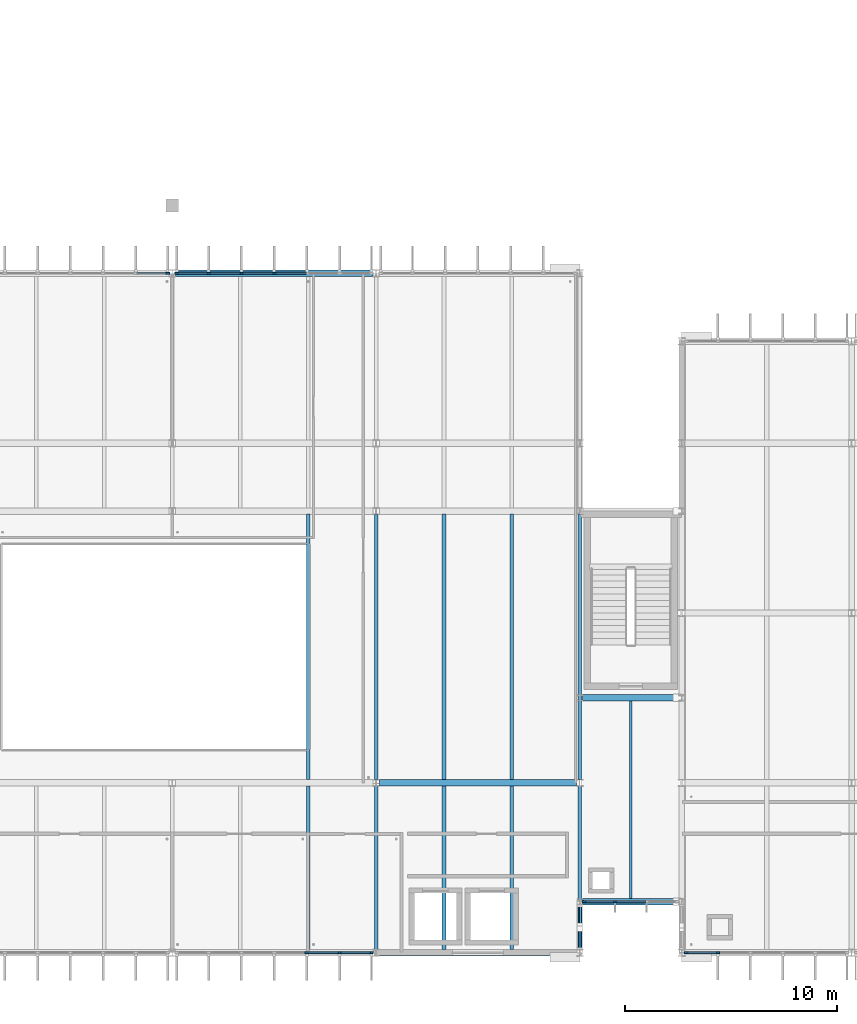
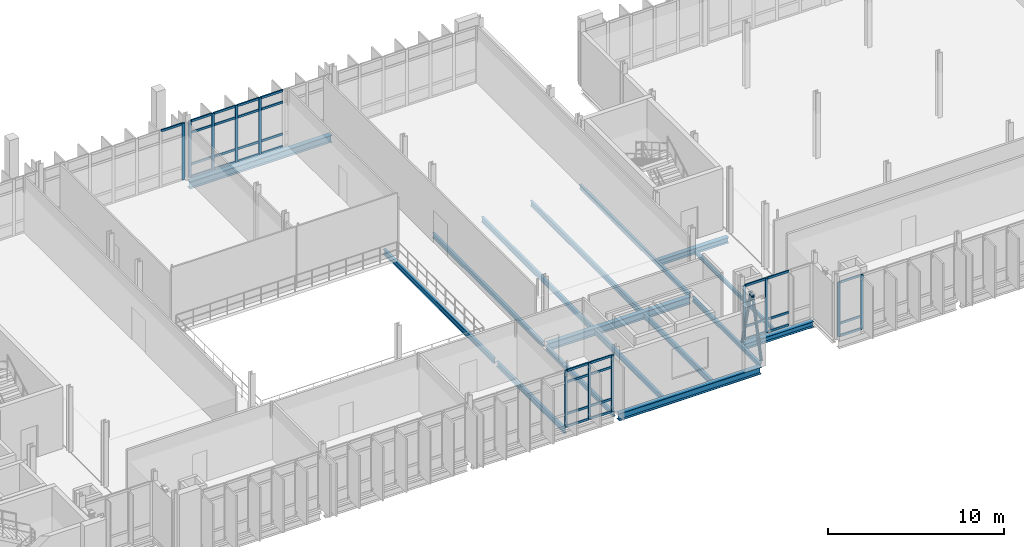
# One storey, part 31 of 110: 48 members, 16 beams, 5 elements without a shape of their own.
"""IFC4 building model written with IfcOpenShell, lengths in metres."""

from ifc_helpers import new_model, si_unit, direction, frame, origin, origin_2d, place, context, subcontext, project, spatial, rectangle, hollow_circle, i_section, extrude, material, material_profile, profile_set, type_object, element, aggregate, save


model = new_model("IFC4")

# Units and contexts
model_context = context("Model", 3, precision=1e-05, world=origin(), true_north=direction((0.0, 1.0)))
body_context = subcontext(model_context, "Body", "Model", "MODEL_VIEW")
ifc_project = project(units=[si_unit("LENGTHUNIT", "METRE"), si_unit("AREAUNIT", "SQUARE_METRE"), si_unit("VOLUMEUNIT", "CUBIC_METRE"), si_unit("PLANEANGLEUNIT", "RADIAN"), si_unit("MASSUNIT", "GRAM", prefix="KILO")], contexts=[model_context])

# Site, building, storey
site_placement = place(None, origin())
site = spatial("IfcSite", under=ifc_project, at=site_placement, CompositionType="ELEMENT")
building_placement = place(site_placement, origin())
building = spatial("IfcBuilding", under=site, at=building_placement, Name="Dunescarp Central Library", CompositionType="ELEMENT")
storey_placement = place(building_placement, frame((0.0, 0.0, 9.60009765625)))
storey = spatial("IfcBuildingStorey", under=building, at=storey_placement, Name="L02", CompositionType="ELEMENT", Elevation=9.60009765625)

# Curtain wall, members
ifc_material_1 = material(Name="Marine-grade anodised aluminium 6063-T6", Category="aluminium")
curtain_wall_type_1 = type_object("IfcCurtainWallType", Name="ARC-CW-STICK", PredefinedType="NOTDEFINED", material=ifc_material_1)
curtain_wall_1_placement = place(storey_placement, origin())
curtain_wall_1 = element("IfcCurtainWall", 1, at=curtain_wall_1_placement, inside=storey, type_object=curtain_wall_type_1, Name="L02 curtain wall CW-V2-056", PredefinedType="NOTDEFINED")
ifc_material_profile_1 = material_profile(ifc_material_1, rectangle(XDim=0.080078125, YDim=0.179931640625, at=origin_2d()), Name="AL 80x180")
ifc_profile_set_1 = profile_set([ifc_material_profile_1], Name="Marine-grade anodised aluminium 6063-T6")
member_type_1 = type_object("IfcMemberType", Name="ARC-CWM-180", PredefinedType="MULLION", material=ifc_profile_set_1)
member_1_placement = place(storey_placement, frame((66.985107421875, 4.800048828125, 0.0), z_axis=(0.0, 0.0, 1.0), x_axis=(0.0, -1.0, 0.0)))
member_1 = element("IfcMember", 2, at=member_1_placement, type_object=member_type_1, Name="CW-V2-056 mullion 1", PredefinedType="MULLION", context=body_context, shape_type="SweptSolid", body=[
    extrude(rectangle(XDim=0.080078125, YDim=0.179931640625, at=origin_2d()), origin(), (0.0, 0.0, 1.0), 3.9248046875),
])
member_2_placement = place(storey_placement, frame((65.4833984375, 4.800048828125, 0.0), z_axis=(0.0, 0.0, 1.0), x_axis=(0.0, -1.0, 0.0)))
member_2 = element("IfcMember", 3, at=member_2_placement, type_object=member_type_1, Name="CW-V2-056 mullion 2", PredefinedType="MULLION", context=body_context, shape_type="SweptSolid", body=[
    extrude(rectangle(XDim=0.080078125, YDim=0.179931640625, at=origin_2d()), origin(), (0.0, 0.0, 1.0), 3.9248046875),
])
member_3_placement = place(storey_placement, frame((63.941650390625, 4.800048828125, 0.0), z_axis=(0.0, 0.0, 1.0), x_axis=(0.0, -1.0, 0.0)))
member_3 = element("IfcMember", 4, at=member_3_placement, type_object=member_type_1, Name="CW-V2-056 mullion 3", PredefinedType="MULLION", context=body_context, shape_type="SweptSolid", body=[
    extrude(rectangle(XDim=0.080078125, YDim=0.179931640625, at=origin_2d()), origin(), (0.0, 0.0, 1.0), 3.9248046875),
])

# Curtain wall, member
curtain_wall_2_placement = place(storey_placement, origin())
curtain_wall_2 = element("IfcCurtainWall", 5, at=curtain_wall_2_placement, inside=storey, type_object=curtain_wall_type_1, Name="L02 curtain wall CW-V2-058", PredefinedType="NOTDEFINED")
member_4_placement = place(storey_placement, frame((57.385009765625, 36.800048828125, 0.0), z_axis=(0.0, 0.0, 1.0), x_axis=(0.0, 1.0, 0.0)))
member_4 = element("IfcMember", 6, at=member_4_placement, type_object=member_type_1, Name="CW-V2-058 mullion 7", PredefinedType="MULLION", context=body_context, shape_type="SweptSolid", body=[
    extrude(rectangle(XDim=0.080078125, YDim=0.179931640625, at=origin_2d()), origin(), (0.0, 0.0, 1.0), 3.9248046875),
])

# Curtain wall, members
curtain_wall_3_placement = place(storey_placement, origin())
curtain_wall_3 = element("IfcCurtainWall", 7, at=curtain_wall_3_placement, inside=storey, type_object=curtain_wall_type_1, Name="L02 curtain wall CW-V2-059", PredefinedType="NOTDEFINED")
member_5_placement = place(storey_placement, frame((57.81494140625, 36.800048828125, 0.0), z_axis=(0.0, 0.0, 1.0), x_axis=(0.0, 1.0, 0.0)))
member_5 = element("IfcMember", 8, at=member_5_placement, type_object=member_type_1, Name="CW-V2-059 mullion 1", PredefinedType="MULLION", context=body_context, shape_type="SweptSolid", body=[
    extrude(rectangle(XDim=0.080078125, YDim=0.179931640625, at=origin_2d()), origin(), (0.0, 0.0, 1.0), 3.9248046875),
])
member_6_placement = place(storey_placement, frame((59.316650390625, 36.800048828125, 0.0), z_axis=(0.0, 0.0, 1.0), x_axis=(0.0, 1.0, 0.0)))
member_6 = element("IfcMember", 9, at=member_6_placement, type_object=member_type_1, Name="CW-V2-059 mullion 2", PredefinedType="MULLION", context=body_context, shape_type="SweptSolid", body=[
    extrude(rectangle(XDim=0.080078125, YDim=0.179931640625, at=origin_2d()), origin(), (0.0, 0.0, 1.0), 3.9248046875),
])
member_7_placement = place(storey_placement, frame((60.8583984375, 36.800048828125, 0.0), z_axis=(0.0, 0.0, 1.0), x_axis=(0.0, 1.0, 0.0)))
member_7 = element("IfcMember", 10, at=member_7_placement, type_object=member_type_1, Name="CW-V2-059 mullion 3", PredefinedType="MULLION", context=body_context, shape_type="SweptSolid", body=[
    extrude(rectangle(XDim=0.080078125, YDim=0.179931640625, at=origin_2d()), origin(), (0.0, 0.0, 1.0), 3.9248046875),
])
member_8_placement = place(storey_placement, frame((62.39990234375, 36.800048828125, 0.0), z_axis=(0.0, 0.0, 1.0), x_axis=(0.0, 1.0, 0.0)))
member_8 = element("IfcMember", 11, at=member_8_placement, type_object=member_type_1, Name="CW-V2-059 mullion 4", PredefinedType="MULLION", context=body_context, shape_type="SweptSolid", body=[
    extrude(rectangle(XDim=0.080078125, YDim=0.179931640625, at=origin_2d()), origin(), (0.0, 0.0, 1.0), 3.9248046875),
])

curtain_wall_4_placement = place(storey_placement, origin())
curtain_wall_4 = element("IfcCurtainWall", 12, at=curtain_wall_4_placement, inside=storey, type_object=curtain_wall_type_1, Name="L02 curtain wall CW-V3-090", PredefinedType="NOTDEFINED")
member_9_placement = place(storey_placement, frame((83.304931640625, 4.800048828125, 0.0), z_axis=(0.0, 0.0, 1.0), x_axis=(0.0, -1.0, 0.0)))
member_9 = element("IfcMember", 13, at=member_9_placement, type_object=member_type_1, Name="CW-V3-090 mullion 5", PredefinedType="MULLION", context=body_context, shape_type="SweptSolid", body=[
    extrude(rectangle(XDim=0.080078125, YDim=0.179931640625, at=origin_2d()), origin(), (0.0, 0.0, 1.0), 3.77490234375),
])
member_10_placement = place(storey_placement, frame((81.81494140625, 4.800048828125, 0.0), z_axis=(0.0, 0.0, 1.0), x_axis=(0.0, -1.0, 0.0)))
member_10 = element("IfcMember", 14, at=member_10_placement, type_object=member_type_1, Name="CW-V3-090 mullion 6", PredefinedType="MULLION", context=body_context, shape_type="SweptSolid", body=[
    extrude(rectangle(XDim=0.080078125, YDim=0.179931640625, at=origin_2d()), origin(), (0.0, 0.0, 1.0), 3.77490234375),
])

curtain_wall_type_2 = type_object("IfcCurtainWallType", Name="ARC-CW-LINK", PredefinedType="USERDEFINED", material=ifc_material_1)
curtain_wall_5_placement = place(storey_placement, origin())
curtain_wall_5 = element("IfcCurtainWall", 15, at=curtain_wall_5_placement, inside=storey, type_object=curtain_wall_type_2, Name="L02 curtain wall CW-GL2-S-L02", ObjectType="GLAZED_LINK_WALL", PredefinedType="USERDEFINED")
member_11_placement = place(storey_placement, frame((78.458251953125, 7.199951171875, 0.0), z_axis=(0.0, 0.0, 1.0), x_axis=(0.0, -1.0, 0.0)))
member_11 = element("IfcMember", 16, at=member_11_placement, type_object=member_type_1, Name="CW-GL2-S-L02 mullion 3", PredefinedType="MULLION", context=body_context, shape_type="SweptSolid", body=[
    extrude(rectangle(XDim=0.080078125, YDim=0.179931640625, at=origin_2d()), origin(), (0.0, 0.0, 1.0), 3.77490234375),
])
member_12_placement = place(storey_placement, frame((77.014892578125, 7.199951171875, 0.0), z_axis=(0.0, 0.0, 1.0), x_axis=(0.0, -1.0, 0.0)))
member_12 = element("IfcMember", 17, at=member_12_placement, type_object=member_type_1, Name="CW-GL2-S-L02 mullion 4", PredefinedType="MULLION", context=body_context, shape_type="SweptSolid", body=[
    extrude(rectangle(XDim=0.080078125, YDim=0.179931640625, at=origin_2d()), origin(), (0.0, 0.0, 1.0), 3.77490234375),
])

# Member
ifc_material_profile_2 = material_profile(ifc_material_1, rectangle(XDim=0.080078125, YDim=0.14990234375, at=origin_2d()), Name="AL 80x150")
ifc_profile_set_2 = profile_set([ifc_material_profile_2], Name="Marine-grade anodised aluminium 6063-T6")
member_type_2 = type_object("IfcMemberType", Name="ARC-CWT-150", PredefinedType="USERDEFINED", material=ifc_profile_set_2)
member_13_placement = place(storey_placement, frame((66.945068359375, 4.800048828125, 0.039794921875), z_axis=(-1.0, 0.0, 0.0), x_axis=(0.0, -1.0, 0.0)))
member_13 = element("IfcMember", 18, at=member_13_placement, type_object=member_type_2, Name="CW-V2-056 transom 1.1", ObjectType="TRANSOM", PredefinedType="USERDEFINED", context=body_context, shape_type="SweptSolid", body=[
    extrude(rectangle(XDim=0.080078125, YDim=0.14990234375, at=origin_2d()), origin(), (0.0, 0.0, 1.0), 1.421630859375),
])

member_14_placement = place(storey_placement, frame((66.945068359375, 4.800048828125, 0.89990234375), z_axis=(-1.0, 0.0, 0.0), x_axis=(0.0, -1.0, 0.0)))
member_14 = element("IfcMember", 19, at=member_14_placement, type_object=member_type_2, Name="CW-V2-056 transom 1.2", ObjectType="TRANSOM", PredefinedType="USERDEFINED", context=body_context, shape_type="SweptSolid", body=[
    extrude(rectangle(XDim=0.080078125, YDim=0.14990234375, at=origin_2d()), origin(), (0.0, 0.0, 1.0), 1.421630859375),
])

member_15_placement = place(storey_placement, frame((66.945068359375, 4.800048828125, 3.099853515625), z_axis=(-1.0, 0.0, 0.0), x_axis=(0.0, -1.0, 0.0)))
member_15 = element("IfcMember", 20, at=member_15_placement, type_object=member_type_2, Name="CW-V2-056 transom 1.3", ObjectType="TRANSOM", PredefinedType="USERDEFINED", context=body_context, shape_type="SweptSolid", body=[
    extrude(rectangle(XDim=0.080078125, YDim=0.14990234375, at=origin_2d()), origin(), (0.0, 0.0, 1.0), 1.421630859375),
])

member_16_placement = place(storey_placement, frame((66.945068359375, 4.800048828125, 3.885009765625), z_axis=(-1.0, 0.0, 0.0), x_axis=(0.0, -1.0, 0.0)))
member_16 = element("IfcMember", 21, at=member_16_placement, type_object=member_type_2, Name="CW-V2-056 transom 1.4", ObjectType="TRANSOM", PredefinedType="USERDEFINED", context=body_context, shape_type="SweptSolid", body=[
    extrude(rectangle(XDim=0.080078125, YDim=0.14990234375, at=origin_2d()), origin(), (0.0, 0.0, 1.0), 1.421630859375),
])

member_17_placement = place(storey_placement, frame((65.443359375, 4.800048828125, 0.039794921875), z_axis=(-1.0, 0.0, 0.0), x_axis=(0.0, -1.0, 0.0)))
member_17 = element("IfcMember", 22, at=member_17_placement, type_object=member_type_2, Name="CW-V2-056 transom 2.1", ObjectType="TRANSOM", PredefinedType="USERDEFINED", context=body_context, shape_type="SweptSolid", body=[
    extrude(rectangle(XDim=0.080078125, YDim=0.14990234375, at=origin_2d()), origin(), (0.0, 0.0, 1.0), 1.461669921875),
])

member_18_placement = place(storey_placement, frame((65.443359375, 4.800048828125, 0.89990234375), z_axis=(-1.0, 0.0, 0.0), x_axis=(0.0, -1.0, 0.0)))
member_18 = element("IfcMember", 23, at=member_18_placement, type_object=member_type_2, Name="CW-V2-056 transom 2.2", ObjectType="TRANSOM", PredefinedType="USERDEFINED", context=body_context, shape_type="SweptSolid", body=[
    extrude(rectangle(XDim=0.080078125, YDim=0.14990234375, at=origin_2d()), origin(), (0.0, 0.0, 1.0), 1.461669921875),
])

member_19_placement = place(storey_placement, frame((65.443359375, 4.800048828125, 3.099853515625), z_axis=(-1.0, 0.0, 0.0), x_axis=(0.0, -1.0, 0.0)))
member_19 = element("IfcMember", 24, at=member_19_placement, type_object=member_type_2, Name="CW-V2-056 transom 2.3", ObjectType="TRANSOM", PredefinedType="USERDEFINED", context=body_context, shape_type="SweptSolid", body=[
    extrude(rectangle(XDim=0.080078125, YDim=0.14990234375, at=origin_2d()), origin(), (0.0, 0.0, 1.0), 1.461669921875),
])

member_20_placement = place(storey_placement, frame((65.443359375, 4.800048828125, 3.885009765625), z_axis=(-1.0, 0.0, 0.0), x_axis=(0.0, -1.0, 0.0)))
member_20 = element("IfcMember", 25, at=member_20_placement, type_object=member_type_2, Name="CW-V2-056 transom 2.4", ObjectType="TRANSOM", PredefinedType="USERDEFINED", context=body_context, shape_type="SweptSolid", body=[
    extrude(rectangle(XDim=0.080078125, YDim=0.14990234375, at=origin_2d()), origin(), (0.0, 0.0, 1.0), 1.461669921875),
])

aggregate(curtain_wall_1, [member_1, member_2, member_3, member_13, member_14, member_15, member_16, member_17, member_18, member_19, member_20])

member_21_placement = place(storey_placement, frame((55.92333984375, 36.800048828125, 3.885009765625), z_axis=(1.0, 0.0, 0.0), x_axis=(0.0, 1.0, 0.0)))
member_21 = element("IfcMember", 26, at=member_21_placement, type_object=member_type_2, Name="CW-V2-058 transom 6.4", ObjectType="TRANSOM", PredefinedType="USERDEFINED", context=body_context, shape_type="SweptSolid", body=[
    extrude(rectangle(XDim=0.080078125, YDim=0.14990234375, at=origin_2d()), origin(), (0.0, 0.0, 1.0), 1.421630859375),
])

aggregate(curtain_wall_2, [member_4, member_21])

member_22_placement = place(storey_placement, frame((57.85498046875, 36.800048828125, 0.039794921875), z_axis=(1.0, 0.0, 0.0), x_axis=(0.0, 1.0, 0.0)))
member_22 = element("IfcMember", 27, at=member_22_placement, type_object=member_type_2, Name="CW-V2-059 transom 1.1", ObjectType="TRANSOM", PredefinedType="USERDEFINED", context=body_context, shape_type="SweptSolid", body=[
    extrude(rectangle(XDim=0.080078125, YDim=0.14990234375, at=origin_2d()), origin(), (0.0, 0.0, 1.0), 1.421630859375),
])

member_23_placement = place(storey_placement, frame((57.85498046875, 36.800048828125, 0.89990234375), z_axis=(1.0, 0.0, 0.0), x_axis=(0.0, 1.0, 0.0)))
member_23 = element("IfcMember", 28, at=member_23_placement, type_object=member_type_2, Name="CW-V2-059 transom 1.2", ObjectType="TRANSOM", PredefinedType="USERDEFINED", context=body_context, shape_type="SweptSolid", body=[
    extrude(rectangle(XDim=0.080078125, YDim=0.14990234375, at=origin_2d()), origin(), (0.0, 0.0, 1.0), 1.421630859375),
])

member_24_placement = place(storey_placement, frame((57.85498046875, 36.800048828125, 3.099853515625), z_axis=(1.0, 0.0, 0.0), x_axis=(0.0, 1.0, 0.0)))
member_24 = element("IfcMember", 29, at=member_24_placement, type_object=member_type_2, Name="CW-V2-059 transom 1.3", ObjectType="TRANSOM", PredefinedType="USERDEFINED", context=body_context, shape_type="SweptSolid", body=[
    extrude(rectangle(XDim=0.080078125, YDim=0.14990234375, at=origin_2d()), origin(), (0.0, 0.0, 1.0), 1.421630859375),
])

member_25_placement = place(storey_placement, frame((57.85498046875, 36.800048828125, 3.885009765625), z_axis=(1.0, 0.0, 0.0), x_axis=(0.0, 1.0, 0.0)))
member_25 = element("IfcMember", 30, at=member_25_placement, type_object=member_type_2, Name="CW-V2-059 transom 1.4", ObjectType="TRANSOM", PredefinedType="USERDEFINED", context=body_context, shape_type="SweptSolid", body=[
    extrude(rectangle(XDim=0.080078125, YDim=0.14990234375, at=origin_2d()), origin(), (0.0, 0.0, 1.0), 1.421630859375),
])

member_26_placement = place(storey_placement, frame((59.356689453125, 36.800048828125, 0.039794921875), z_axis=(1.0, 0.0, 0.0), x_axis=(0.0, 1.0, 0.0)))
member_26 = element("IfcMember", 31, at=member_26_placement, type_object=member_type_2, Name="CW-V2-059 transom 2.1", ObjectType="TRANSOM", PredefinedType="USERDEFINED", context=body_context, shape_type="SweptSolid", body=[
    extrude(rectangle(XDim=0.080078125, YDim=0.14990234375, at=origin_2d()), origin(), (0.0, 0.0, 1.0), 1.461669921875),
])

member_27_placement = place(storey_placement, frame((59.356689453125, 36.800048828125, 0.89990234375), z_axis=(1.0, 0.0, 0.0), x_axis=(0.0, 1.0, 0.0)))
member_27 = element("IfcMember", 32, at=member_27_placement, type_object=member_type_2, Name="CW-V2-059 transom 2.2", ObjectType="TRANSOM", PredefinedType="USERDEFINED", context=body_context, shape_type="SweptSolid", body=[
    extrude(rectangle(XDim=0.080078125, YDim=0.14990234375, at=origin_2d()), origin(), (0.0, 0.0, 1.0), 1.461669921875),
])

member_28_placement = place(storey_placement, frame((59.356689453125, 36.800048828125, 3.099853515625), z_axis=(1.0, 0.0, 0.0), x_axis=(0.0, 1.0, 0.0)))
member_28 = element("IfcMember", 33, at=member_28_placement, type_object=member_type_2, Name="CW-V2-059 transom 2.3", ObjectType="TRANSOM", PredefinedType="USERDEFINED", context=body_context, shape_type="SweptSolid", body=[
    extrude(rectangle(XDim=0.080078125, YDim=0.14990234375, at=origin_2d()), origin(), (0.0, 0.0, 1.0), 1.461669921875),
])

member_29_placement = place(storey_placement, frame((59.356689453125, 36.800048828125, 3.885009765625), z_axis=(1.0, 0.0, 0.0), x_axis=(0.0, 1.0, 0.0)))
member_29 = element("IfcMember", 34, at=member_29_placement, type_object=member_type_2, Name="CW-V2-059 transom 2.4", ObjectType="TRANSOM", PredefinedType="USERDEFINED", context=body_context, shape_type="SweptSolid", body=[
    extrude(rectangle(XDim=0.080078125, YDim=0.14990234375, at=origin_2d()), origin(), (0.0, 0.0, 1.0), 1.461669921875),
])

member_30_placement = place(storey_placement, frame((60.8984375, 36.800048828125, 0.039794921875), z_axis=(1.0, 0.0, 0.0), x_axis=(0.0, 1.0, 0.0)))
member_30 = element("IfcMember", 35, at=member_30_placement, type_object=member_type_2, Name="CW-V2-059 transom 3.1", ObjectType="TRANSOM", PredefinedType="USERDEFINED", context=body_context, shape_type="SweptSolid", body=[
    extrude(rectangle(XDim=0.080078125, YDim=0.14990234375, at=origin_2d()), origin(), (0.0, 0.0, 1.0), 1.461669921875),
])

member_31_placement = place(storey_placement, frame((60.8984375, 36.800048828125, 0.89990234375), z_axis=(1.0, 0.0, 0.0), x_axis=(0.0, 1.0, 0.0)))
member_31 = element("IfcMember", 36, at=member_31_placement, type_object=member_type_2, Name="CW-V2-059 transom 3.2", ObjectType="TRANSOM", PredefinedType="USERDEFINED", context=body_context, shape_type="SweptSolid", body=[
    extrude(rectangle(XDim=0.080078125, YDim=0.14990234375, at=origin_2d()), origin(), (0.0, 0.0, 1.0), 1.461669921875),
])

member_32_placement = place(storey_placement, frame((60.8984375, 36.800048828125, 3.099853515625), z_axis=(1.0, 0.0, 0.0), x_axis=(0.0, 1.0, 0.0)))
member_32 = element("IfcMember", 37, at=member_32_placement, type_object=member_type_2, Name="CW-V2-059 transom 3.3", ObjectType="TRANSOM", PredefinedType="USERDEFINED", context=body_context, shape_type="SweptSolid", body=[
    extrude(rectangle(XDim=0.080078125, YDim=0.14990234375, at=origin_2d()), origin(), (0.0, 0.0, 1.0), 1.461669921875),
])

member_33_placement = place(storey_placement, frame((60.8984375, 36.800048828125, 3.885009765625), z_axis=(1.0, 0.0, 0.0), x_axis=(0.0, 1.0, 0.0)))
member_33 = element("IfcMember", 38, at=member_33_placement, type_object=member_type_2, Name="CW-V2-059 transom 3.4", ObjectType="TRANSOM", PredefinedType="USERDEFINED", context=body_context, shape_type="SweptSolid", body=[
    extrude(rectangle(XDim=0.080078125, YDim=0.14990234375, at=origin_2d()), origin(), (0.0, 0.0, 1.0), 1.461669921875),
])

member_34_placement = place(storey_placement, frame((62.43994140625, 36.800048828125, 0.039794921875), z_axis=(1.0, 0.0, 0.0), x_axis=(0.0, 1.0, 0.0)))
member_34 = element("IfcMember", 39, at=member_34_placement, type_object=member_type_2, Name="CW-V2-059 transom 4.1", ObjectType="TRANSOM", PredefinedType="USERDEFINED", context=body_context, shape_type="SweptSolid", body=[
    extrude(rectangle(XDim=0.080078125, YDim=0.14990234375, at=origin_2d()), origin(), (0.0, 0.0, 1.0), 1.461669921875),
])

member_35_placement = place(storey_placement, frame((62.43994140625, 36.800048828125, 0.89990234375), z_axis=(1.0, 0.0, 0.0), x_axis=(0.0, 1.0, 0.0)))
member_35 = element("IfcMember", 40, at=member_35_placement, type_object=member_type_2, Name="CW-V2-059 transom 4.2", ObjectType="TRANSOM", PredefinedType="USERDEFINED", context=body_context, shape_type="SweptSolid", body=[
    extrude(rectangle(XDim=0.080078125, YDim=0.14990234375, at=origin_2d()), origin(), (0.0, 0.0, 1.0), 1.461669921875),
])

member_36_placement = place(storey_placement, frame((62.43994140625, 36.800048828125, 3.099853515625), z_axis=(1.0, 0.0, 0.0), x_axis=(0.0, 1.0, 0.0)))
member_36 = element("IfcMember", 41, at=member_36_placement, type_object=member_type_2, Name="CW-V2-059 transom 4.3", ObjectType="TRANSOM", PredefinedType="USERDEFINED", context=body_context, shape_type="SweptSolid", body=[
    extrude(rectangle(XDim=0.080078125, YDim=0.14990234375, at=origin_2d()), origin(), (0.0, 0.0, 1.0), 1.461669921875),
])

member_37_placement = place(storey_placement, frame((62.43994140625, 36.800048828125, 3.885009765625), z_axis=(1.0, 0.0, 0.0), x_axis=(0.0, 1.0, 0.0)))
member_37 = element("IfcMember", 42, at=member_37_placement, type_object=member_type_2, Name="CW-V2-059 transom 4.4", ObjectType="TRANSOM", PredefinedType="USERDEFINED", context=body_context, shape_type="SweptSolid", body=[
    extrude(rectangle(XDim=0.080078125, YDim=0.14990234375, at=origin_2d()), origin(), (0.0, 0.0, 1.0), 1.461669921875),
])

aggregate(curtain_wall_3, [member_5, member_6, member_7, member_8, member_22, member_23, member_24, member_25, member_26, member_27, member_28, member_29, member_30, member_31, member_32, member_33, member_34, member_35, member_36, member_37])

member_38_placement = place(storey_placement, frame((83.264892578125, 4.800048828125, 0.039794921875), z_axis=(-1.0, 0.0, 0.0), x_axis=(0.0, -1.0, 0.0)))
member_38 = element("IfcMember", 43, at=member_38_placement, type_object=member_type_2, Name="CW-V3-090 transom 5.1", ObjectType="TRANSOM", PredefinedType="USERDEFINED", context=body_context, shape_type="SweptSolid", body=[
    extrude(rectangle(XDim=0.080078125, YDim=0.14990234375, at=origin_2d()), origin(), (0.0, 0.0, 1.0), 1.409912109375),
])

member_39_placement = place(storey_placement, frame((83.264892578125, 4.800048828125, 0.89990234375), z_axis=(-1.0, 0.0, 0.0), x_axis=(0.0, -1.0, 0.0)))
member_39 = element("IfcMember", 44, at=member_39_placement, type_object=member_type_2, Name="CW-V3-090 transom 5.2", ObjectType="TRANSOM", PredefinedType="USERDEFINED", context=body_context, shape_type="SweptSolid", body=[
    extrude(rectangle(XDim=0.080078125, YDim=0.14990234375, at=origin_2d()), origin(), (0.0, 0.0, 1.0), 1.409912109375),
])

member_40_placement = place(storey_placement, frame((83.264892578125, 4.800048828125, 3.73486328125), z_axis=(-1.0, 0.0, 0.0), x_axis=(0.0, -1.0, 0.0)))
member_40 = element("IfcMember", 45, at=member_40_placement, type_object=member_type_2, Name="CW-V3-090 transom 5.3", ObjectType="TRANSOM", PredefinedType="USERDEFINED", context=body_context, shape_type="SweptSolid", body=[
    extrude(rectangle(XDim=0.080078125, YDim=0.14990234375, at=origin_2d()), origin(), (0.0, 0.0, 1.0), 1.409912109375),
])

aggregate(curtain_wall_4, [member_9, member_10, member_38, member_39, member_40])

member_41_placement = place(storey_placement, frame((79.901611328125, 7.199951171875, 0.039794921875), z_axis=(-1.0, 0.0, 0.0), x_axis=(0.0, -1.0, 0.0)))
member_41 = element("IfcMember", 46, at=member_41_placement, type_object=member_type_2, Name="CW-GL2-S-L02 transom 2.1", ObjectType="TRANSOM", PredefinedType="USERDEFINED", context=body_context, shape_type="SweptSolid", body=[
    extrude(rectangle(XDim=0.080078125, YDim=0.14990234375, at=origin_2d()), origin(), (0.0, 0.0, 1.0), 1.4033203125),
])

member_42_placement = place(storey_placement, frame((79.901611328125, 7.199951171875, 0.89990234375), z_axis=(-1.0, 0.0, 0.0), x_axis=(0.0, -1.0, 0.0)))
member_42 = element("IfcMember", 47, at=member_42_placement, type_object=member_type_2, Name="CW-GL2-S-L02 transom 2.2", ObjectType="TRANSOM", PredefinedType="USERDEFINED", context=body_context, shape_type="SweptSolid", body=[
    extrude(rectangle(XDim=0.080078125, YDim=0.14990234375, at=origin_2d()), origin(), (0.0, 0.0, 1.0), 1.4033203125),
])

member_43_placement = place(storey_placement, frame((79.901611328125, 7.199951171875, 3.73486328125), z_axis=(-1.0, 0.0, 0.0), x_axis=(0.0, -1.0, 0.0)))
member_43 = element("IfcMember", 48, at=member_43_placement, type_object=member_type_2, Name="CW-GL2-S-L02 transom 2.3", ObjectType="TRANSOM", PredefinedType="USERDEFINED", context=body_context, shape_type="SweptSolid", body=[
    extrude(rectangle(XDim=0.080078125, YDim=0.14990234375, at=origin_2d()), origin(), (0.0, 0.0, 1.0), 1.4033203125),
])

member_44_placement = place(storey_placement, frame((78.418212890625, 7.199951171875, 0.039794921875), z_axis=(-1.0, 0.0, 0.0), x_axis=(0.0, -1.0, 0.0)))
member_44 = element("IfcMember", 49, at=member_44_placement, type_object=member_type_2, Name="CW-GL2-S-L02 transom 3.1", ObjectType="TRANSOM", PredefinedType="USERDEFINED", context=body_context, shape_type="SweptSolid", body=[
    extrude(rectangle(XDim=0.080078125, YDim=0.14990234375, at=origin_2d()), origin(), (0.0, 0.0, 1.0), 1.36328125),
])

member_45_placement = place(storey_placement, frame((78.418212890625, 7.199951171875, 0.89990234375), z_axis=(-1.0, 0.0, 0.0), x_axis=(0.0, -1.0, 0.0)))
member_45 = element("IfcMember", 50, at=member_45_placement, type_object=member_type_2, Name="CW-GL2-S-L02 transom 3.2", ObjectType="TRANSOM", PredefinedType="USERDEFINED", context=body_context, shape_type="SweptSolid", body=[
    extrude(rectangle(XDim=0.080078125, YDim=0.14990234375, at=origin_2d()), origin(), (0.0, 0.0, 1.0), 1.36328125),
])

member_46_placement = place(storey_placement, frame((78.418212890625, 7.199951171875, 3.73486328125), z_axis=(-1.0, 0.0, 0.0), x_axis=(0.0, -1.0, 0.0)))
member_46 = element("IfcMember", 51, at=member_46_placement, type_object=member_type_2, Name="CW-GL2-S-L02 transom 3.3", ObjectType="TRANSOM", PredefinedType="USERDEFINED", context=body_context, shape_type="SweptSolid", body=[
    extrude(rectangle(XDim=0.080078125, YDim=0.14990234375, at=origin_2d()), origin(), (0.0, 0.0, 1.0), 1.36328125),
])

aggregate(curtain_wall_5, [member_11, member_12, member_41, member_42, member_43, member_44, member_45, member_46])

# Beams
ifc_material_2 = material(Name="Steel S355JR", Category="steel")
ifc_material_profile_3 = material_profile(ifc_material_2, i_section(OverallWidth=0.300048828125, OverallDepth=0.389892578125, WebThickness=0.010986328125, FlangeThickness=0.01904296875, at=origin_2d()), Name="HEA 400")
ifc_profile_set_3 = profile_set([ifc_material_profile_3], Name="Steel S355JR")
beam_type_1 = type_object("IfcBeamType", Name="STR-BM-HEA400", PredefinedType="BEAM", material=ifc_profile_set_3)
for number, where, z_axis, x_axis, name in (
    (52, (76.926025390625, 7.199951171875, -0.405029296875), (1.0, 0.0, 0.0), (0.0, 1.0, 0.0), "L02 girder BM-L02-1245"),
    (53, (76.926025390625, 16.800048828125, -0.405029296875), (1.0, 0.0, 0.0), (0.0, 1.0, 0.0), "L02 girder BM-L02-1246"),
):
    element("IfcBeam", number, at=place(storey_placement, frame(where, z_axis=z_axis, x_axis=x_axis)), inside=storey, type_object=beam_type_1, Name=name, PredefinedType="BEAM", context=body_context, shape_type="SweptSolid", body=[
        extrude(i_section(OverallWidth=0.300048828125, OverallDepth=0.389892578125, WebThickness=0.010986328125, FlangeThickness=0.01904296875, at=origin_2d()), origin(), (0.0, 0.0, 1.0), 4.548095703125),
    ])
ifc_material_profile_4 = material_profile(ifc_material_2, i_section(OverallWidth=0.300048828125, OverallDepth=0.5, WebThickness=0.014404296875, FlangeThickness=0.028076171875, at=origin_2d()), Name="HEB 500")
ifc_profile_set_4 = profile_set([ifc_material_profile_4], Name="Steel S355JR")
beam_type_2 = type_object("IfcBeamType", Name="STR-BM-HEB500", PredefinedType="BEAM", material=ifc_profile_set_4)
beam_1_placement = place(storey_placement, frame((57.751953125, 36.800048828125, -0.460205078125), z_axis=(1.0, 0.0, 0.0), x_axis=(0.0, 1.0, 0.0)))
element("IfcBeam", 54, at=beam_1_placement, inside=storey, type_object=beam_type_2, Name="L02 girder BM-L02-0450", PredefinedType="BEAM", context=body_context, shape_type="SweptSolid", body=[
    extrude(i_section(OverallWidth=0.300048828125, OverallDepth=0.5, WebThickness=0.014404296875, FlangeThickness=0.028076171875, at=origin_2d()), origin(), (0.0, 0.0, 1.0), 9.296142578125),
])
for number, where, z_axis, x_axis, name in (
    (55, (67.35205078125, 4.800048828125, -0.460205078125), (1.0, 0.0, 0.0), (0.0, 1.0, 0.0), "L02 girder BM-L02-0454"),
    (56, (67.35205078125, 12.800048828125, -0.460205078125), (1.0, 0.0, 0.0), (0.0, 1.0, 0.0), "L02 girder BM-L02-0455"),
):
    element("IfcBeam", number, at=place(storey_placement, frame(where, z_axis=z_axis, x_axis=x_axis)), inside=storey, type_object=beam_type_2, Name=name, PredefinedType="BEAM", context=body_context, shape_type="SweptSolid", body=[
        extrude(i_section(OverallWidth=0.300048828125, OverallDepth=0.5, WebThickness=0.014404296875, FlangeThickness=0.028076171875, at=origin_2d()), origin(), (0.0, 0.0, 1.0), 9.2958984375),
    ])
ifc_material_profile_5 = material_profile(ifc_material_2, i_section(OverallWidth=0.1669921875, OverallDepth=0.310302734375, WebThickness=0.0078125, FlangeThickness=0.013671875, at=origin_2d()), Name="UB 305x165x54")
ifc_profile_set_5 = profile_set([ifc_material_profile_5], Name="Steel S355JR")
beam_type_3 = type_object("IfcBeamType", Name="STR-BM-UB305X54", PredefinedType="BEAM", material=ifc_profile_set_5)
beam_2_placement = place(storey_placement, frame((67.199951171875, 4.95703125, -0.364990234375), z_axis=(0.0, 1.0, 0.0), x_axis=(-1.0, 0.0, 0.0)))
element("IfcBeam", 57, at=beam_2_placement, inside=storey, type_object=beam_type_3, Name="L02 girder BM-L02-0440", PredefinedType="BEAM", context=body_context, shape_type="SweptSolid", body=[
    extrude(i_section(OverallWidth=0.1669921875, OverallDepth=0.310302734375, WebThickness=0.0078125, FlangeThickness=0.013671875, at=origin_2d()), origin(), (0.0, 0.0, 1.0), 7.68603515625),
])
beam_3_placement = place(storey_placement, frame((67.199951171875, 12.95703125, -0.364990234375), z_axis=(0.0, 1.0, 0.0), x_axis=(-1.0, 0.0, 0.0)))
element("IfcBeam", 58, at=beam_3_placement, inside=storey, type_object=beam_type_3, Name="L02 girder BM-L02-0444", PredefinedType="BEAM", context=body_context, shape_type="SweptSolid", body=[
    extrude(i_section(OverallWidth=0.1669921875, OverallDepth=0.310302734375, WebThickness=0.0078125, FlangeThickness=0.013671875, at=origin_2d()), origin(), (0.0, 0.0, 1.0), 12.486083984375),
])
beam_4_placement = place(storey_placement, frame((76.800048828125, 4.95703125, -0.364990234375), z_axis=(0.0, 1.0, 0.0), x_axis=(-1.0, 0.0, 0.0)))
element("IfcBeam", 59, at=beam_4_placement, inside=storey, type_object=beam_type_3, Name="L02 girder BM-L02-0456", PredefinedType="BEAM", context=body_context, shape_type="SweptSolid", body=[
    extrude(i_section(OverallWidth=0.1669921875, OverallDepth=0.310302734375, WebThickness=0.0078125, FlangeThickness=0.013671875, at=origin_2d()), origin(), (0.0, 0.0, 1.0), 7.68603515625),
])
beam_5_placement = place(storey_placement, frame((76.800048828125, 12.95703125, -0.364990234375), z_axis=(0.0, 1.0, 0.0), x_axis=(-1.0, 0.0, 0.0)))
element("IfcBeam", 60, at=beam_5_placement, inside=storey, type_object=beam_type_3, Name="L02 girder BM-L02-0460", PredefinedType="BEAM", context=body_context, shape_type="SweptSolid", body=[
    extrude(i_section(OverallWidth=0.1669921875, OverallDepth=0.310302734375, WebThickness=0.0078125, FlangeThickness=0.013671875, at=origin_2d()), origin(), (0.0, 0.0, 1.0), 12.486083984375),
])

# Members
ifc_material_3 = material(Name="Steel S355J0", Category="steel")
ifc_material_profile_6 = material_profile(ifc_material_3, hollow_circle(Radius=0.096923828125, WallThickness=0.010009765625, at=origin_2d()), Name="CHS 193.7x10")
ifc_profile_set_6 = profile_set([ifc_material_profile_6], Name="Steel S355J0")
member_type_3 = type_object("IfcMemberType", Name="STR-BR-193", PredefinedType="BRACE", material=ifc_profile_set_6)
for number, where, z_axis, x_axis, name in (
    (61, (76.800048828125, 4.919921875, 0.0), (0.0, 0.241398356802, 0.970426109157), (-1.0, 0.0, 0.0), "L02 concentric brace BR-L02-027"),
    (62, (76.800048828125, 7.080078125, 0.0), (0.0, -0.241398356802, 0.970426109157), (1.0, 0.0, 0.0), "L02 concentric brace BR-L02-028"),
):
    element("IfcMember", number, at=place(storey_placement, frame(where, z_axis=z_axis, x_axis=x_axis)), inside=storey, type_object=member_type_3, Name=name, PredefinedType="BRACE", context=body_context, shape_type="SweptSolid", body=[
        extrude(hollow_circle(Radius=0.096923828125, WallThickness=0.010009765625, at=origin_2d()), origin(), (0.0, 0.0, 1.0), 4.142578125),
    ])

# Beams
ifc_material_profile_7 = material_profile(ifc_material_2, i_section(OverallWidth=0.135009765625, OverallDepth=0.27001953125, WebThickness=0.006591796875, FlangeThickness=0.01025390625, at=origin_2d()), Name="IPE 270")
ifc_profile_set_7 = profile_set([ifc_material_profile_7], Name="Steel S355JR")
beam_type_4 = type_object("IfcBeamType", Name="STR-JS-IPE270", PredefinedType="JOIST", material=ifc_profile_set_7)
beam_6_placement = place(storey_placement, frame((79.199951171875, 7.347900390625, -0.34521484375), z_axis=(0.0, 1.0, 0.0), x_axis=(-1.0, 0.0, 0.0)))
element("IfcBeam", 63, at=beam_6_placement, inside=storey, type_object=beam_type_4, Name="L02 joist JS-L02-1247", PredefinedType="JOIST", context=body_context, shape_type="SweptSolid", body=[
    extrude(i_section(OverallWidth=0.135009765625, OverallDepth=0.27001953125, WebThickness=0.006591796875, FlangeThickness=0.01025390625, at=origin_2d()), origin(), (0.0, 0.0, 1.0), 9.30419921875),
])
ifc_material_profile_8 = material_profile(ifc_material_2, i_section(OverallWidth=0.169921875, OverallDepth=0.360107421875, WebThickness=0.008056640625, FlangeThickness=0.0126953125, at=origin_2d()), Name="IPE 360")
ifc_profile_set_8 = profile_set([ifc_material_profile_8], Name="Steel S355JR")
beam_type_5 = type_object("IfcBeamType", Name="STR-JS-IPE360", PredefinedType="JOIST", material=ifc_profile_set_8)
beam_7_placement = place(storey_placement, frame((64.0, 4.947998046875, -0.39013671875), z_axis=(0.0, 1.0, 0.0), x_axis=(-1.0, 0.0, 0.0)))
element("IfcBeam", 64, at=beam_7_placement, inside=storey, type_object=beam_type_5, Name="L02 joist JS-L02-0442", PredefinedType="JOIST", context=body_context, shape_type="SweptSolid", body=[
    extrude(i_section(OverallWidth=0.169921875, OverallDepth=0.360107421875, WebThickness=0.008056640625, FlangeThickness=0.0126953125, at=origin_2d()), origin(), (0.0, 0.0, 1.0), 7.7041015625),
])
beam_8_placement = place(storey_placement, frame((64.0, 12.947998046875, -0.39013671875), z_axis=(0.0, 1.0, 0.0), x_axis=(-1.0, 0.0, 0.0)))
element("IfcBeam", 65, at=beam_8_placement, inside=storey, type_object=beam_type_5, Name="L02 joist JS-L02-0445", PredefinedType="JOIST", context=body_context, shape_type="SweptSolid", body=[
    extrude(i_section(OverallWidth=0.169921875, OverallDepth=0.360107421875, WebThickness=0.008056640625, FlangeThickness=0.0126953125, at=origin_2d()), origin(), (0.0, 0.0, 1.0), 12.50390625),
])
for number, where, z_axis, x_axis, name in (
    (66, (70.39990234375, 4.947998046875, -0.39013671875), (0.0, 1.0, 0.0), (-1.0, 0.0, 0.0), "L02 joist JS-L02-0457"),
    (67, (73.60009765625, 4.947998046875, -0.39013671875), (0.0, 1.0, 0.0), (-1.0, 0.0, 0.0), "L02 joist JS-L02-0458"),
):
    element("IfcBeam", number, at=place(storey_placement, frame(where, z_axis=z_axis, x_axis=x_axis)), inside=storey, type_object=beam_type_5, Name=name, PredefinedType="JOIST", context=body_context, shape_type="SweptSolid", body=[
        extrude(i_section(OverallWidth=0.169921875, OverallDepth=0.360107421875, WebThickness=0.008056640625, FlangeThickness=0.0126953125, at=origin_2d()), origin(), (0.0, 0.0, 1.0), 7.7041015625),
    ])
for number, where, z_axis, x_axis, name in (
    (68, (70.39990234375, 12.947998046875, -0.39013671875), (0.0, 1.0, 0.0), (-1.0, 0.0, 0.0), "L02 joist JS-L02-0461"),
    (69, (73.60009765625, 12.947998046875, -0.39013671875), (0.0, 1.0, 0.0), (-1.0, 0.0, 0.0), "L02 joist JS-L02-0462"),
):
    element("IfcBeam", number, at=place(storey_placement, frame(where, z_axis=z_axis, x_axis=x_axis)), inside=storey, type_object=beam_type_5, Name=name, PredefinedType="JOIST", context=body_context, shape_type="SweptSolid", body=[
        extrude(i_section(OverallWidth=0.169921875, OverallDepth=0.360107421875, WebThickness=0.008056640625, FlangeThickness=0.0126953125, at=origin_2d()), origin(), (0.0, 0.0, 1.0), 12.50390625),
    ])

save(model, "model.ifc")
